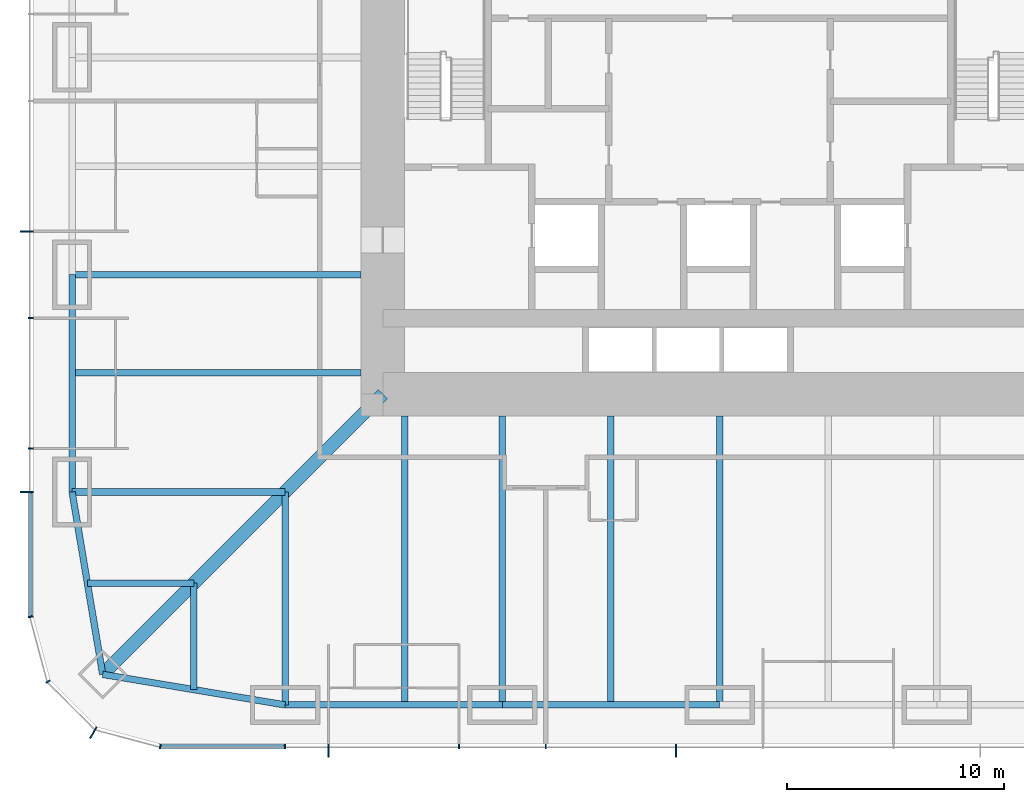
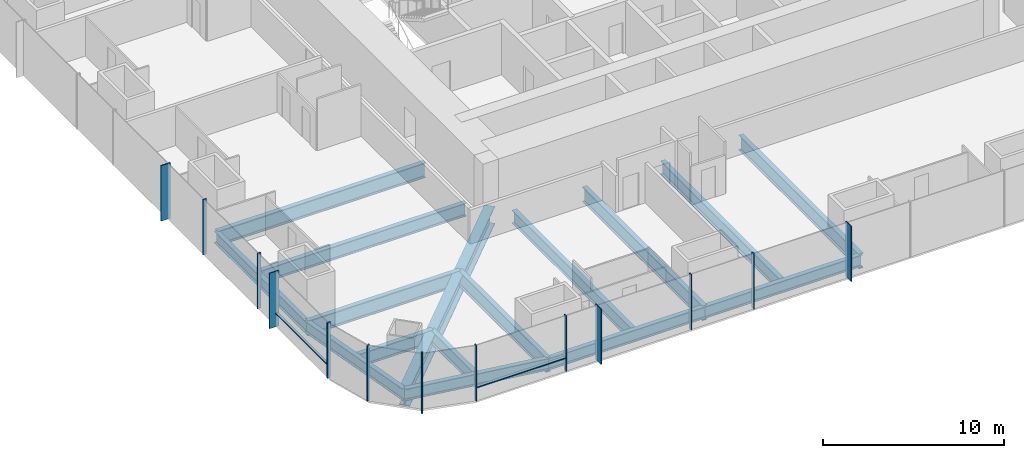
# One storey, part 2 of 17: 16 beams, 15 members, 3 elements without a shape of their own.
"""IFC4 building model written with IfcOpenShell, lengths in metres."""

from ifc_helpers import new_model, si_unit, direction, frame, origin, origin_2d, place, context, subcontext, project, spatial, rectangle, i_section, extrude, material, material_profile, profile_set, type_object, element, aggregate, save


model = new_model("IFC4")

# Units and contexts
model_context = context("Model", 3, precision=1e-05, world=origin(), true_north=direction((0.0, 1.0)))
body_context = subcontext(model_context, "Body", "Model", "MODEL_VIEW")
ifc_project = project(units=[si_unit("LENGTHUNIT", "METRE"), si_unit("AREAUNIT", "SQUARE_METRE"), si_unit("VOLUMEUNIT", "CUBIC_METRE"), si_unit("PLANEANGLEUNIT", "RADIAN"), si_unit("MASSUNIT", "GRAM", prefix="KILO")], contexts=[model_context])

# Site, building, storey
site_placement = place(None, origin())
site = spatial("IfcSite", under=ifc_project, at=site_placement, CompositionType="ELEMENT")
building_placement = place(site_placement, origin())
building = spatial("IfcBuilding", under=site, at=building_placement, Name="Khuree Lantern Residences", CompositionType="ELEMENT")
storey_placement = place(building_placement, frame((0.0, 0.0, 43.5)))
storey = spatial("IfcBuildingStorey", under=building, at=storey_placement, Name="L10", CompositionType="ELEMENT", Elevation=43.5)

# Beams
ifc_material_1 = material(Name="Steel S355", Category="steel")
ifc_material_profile_1 = material_profile(ifc_material_1, i_section(OverallWidth=0.300048828125, OverallDepth=0.889892578125, WebThickness=0.01611328125, FlangeThickness=0.030029296875, FilletRadius=0.030029296875, at=origin_2d()), Name="HE 900 A")
ifc_profile_set_1 = profile_set([ifc_material_profile_1], Name="Steel S355")
beam_type_1 = type_object("IfcBeamType", Name="B-12 SECONDARY BEAM HE 900 A", PredefinedType="BEAM", material=ifc_profile_set_1)
for number, where, z_axis, x_axis, name in (
    (1, (-5.0, -29.800048828125, -0.695068359375), (0.0, 1.0, 0.0), (-1.0, 0.0, 0.0), "Secondary beam S4"),
    (2, (-14.5, -29.800048828125, -0.695068359375), (0.0, 1.0, 0.0), (-1.0, 0.0, 0.0), "Secondary beam S5"),
):
    element("IfcBeam", number, at=place(storey_placement, frame(where, z_axis=z_axis, x_axis=x_axis)), inside=storey, type_object=beam_type_1, Name=name, PredefinedType="BEAM", context=body_context, shape_type="SweptSolid", body=[
        extrude(i_section(OverallWidth=0.300048828125, OverallDepth=0.889892578125, WebThickness=0.01611328125, FlangeThickness=0.030029296875, FilletRadius=0.030029296875, at=origin_2d()), origin(), (0.0, 0.0, 1.0), 13.300048828125),
    ])
for number, where, z_axis, x_axis, name in (
    (3, (-24.197021484375, -29.09716796875, -0.695068359375), (0.0, 1.0, 0.0), (-1.0, 0.0, 0.0), "Secondary beam S6"),
    (4, (-29.09716796875, -24.197021484375, -0.695068359375), (1.0, 0.0, 0.0), (0.0, 1.0, 0.0), "Secondary beam W1"),
):
    element("IfcBeam", number, at=place(storey_placement, frame(where, z_axis=z_axis, x_axis=x_axis)), inside=storey, type_object=beam_type_1, Name=name, PredefinedType="BEAM", context=body_context, shape_type="SweptSolid", body=[
        extrude(i_section(OverallWidth=0.300048828125, OverallDepth=0.889892578125, WebThickness=0.01611328125, FlangeThickness=0.030029296875, FilletRadius=0.030029296875, at=origin_2d()), origin(), (0.0, 0.0, 1.0), 4.900146484375),
    ])
beam_1_placement = place(storey_placement, frame((-29.800048828125, -14.5, -0.695068359375), z_axis=(1.0, 0.0, 0.0), x_axis=(0.0, 1.0, 0.0)))
element("IfcBeam", 5, at=beam_1_placement, inside=storey, type_object=beam_type_1, Name="Secondary beam W2", PredefinedType="BEAM", context=body_context, shape_type="SweptSolid", body=[
    extrude(i_section(OverallWidth=0.300048828125, OverallDepth=0.889892578125, WebThickness=0.01611328125, FlangeThickness=0.030029296875, FilletRadius=0.030029296875, at=origin_2d()), origin(), (0.0, 0.0, 1.0), 13.300048828125),
])
ifc_material_profile_2 = material_profile(ifc_material_1, i_section(OverallWidth=0.300048828125, OverallDepth=0.7900390625, WebThickness=0.014892578125, FlangeThickness=0.028076171875, FilletRadius=0.030029296875, at=origin_2d()), Name="HE 800 A")
ifc_profile_set_2 = profile_set([ifc_material_profile_2], Name="Steel S355")
beam_type_2 = type_object("IfcBeamType", Name="E-12 SPANDREL BEAM HE 800 A", PredefinedType="SPANDREL", material=ifc_profile_set_2)
for number, where, z_axis, x_axis, name in (
    (6, (0.0, -29.800048828125, -0.64501953125), (-1.0, 0.0, 0.0), (0.0, -1.0, 0.0), "Spandrel beam S4"),
    (7, (-10.0, -29.800048828125, -0.64501953125), (-1.0, 0.0, 0.0), (0.0, -1.0, 0.0), "Spandrel beam S5"),
):
    element("IfcBeam", number, at=place(storey_placement, frame(where, z_axis=z_axis, x_axis=x_axis)), inside=storey, type_object=beam_type_2, Name=name, PredefinedType="SPANDREL", context=body_context, shape_type="SweptSolid", body=[
        extrude(i_section(OverallWidth=0.300048828125, OverallDepth=0.7900390625, WebThickness=0.014892578125, FlangeThickness=0.028076171875, FilletRadius=0.030029296875, at=origin_2d()), origin(), (0.0, 0.0, 1.0), 10.0),
    ])
for number, where, z_axis, x_axis, name in (
    (8, (-20.0, -29.800048828125, -0.64501953125), (-0.986260251158, 0.165199022349, 0.0), (-0.165199022349, -0.986260251158, 0.0), "Spandrel beam S6"),
    (9, (-28.39404296875, -28.39404296875, -0.64501953125), (-0.165199022349, 0.986260251158, 0.0), (-0.986260251158, -0.165199022349, 0.0), "Spandrel beam W1"),
):
    element("IfcBeam", number, at=place(storey_placement, frame(where, z_axis=z_axis, x_axis=x_axis)), inside=storey, type_object=beam_type_2, Name=name, PredefinedType="SPANDREL", context=body_context, shape_type="SweptSolid", body=[
        extrude(i_section(OverallWidth=0.300048828125, OverallDepth=0.7900390625, WebThickness=0.014892578125, FlangeThickness=0.028076171875, FilletRadius=0.030029296875, at=origin_2d()), origin(), (0.0, 0.0, 1.0), 8.510986328125),
    ])
beam_2_placement = place(storey_placement, frame((-29.800048828125, -20.0, -0.64501953125), z_axis=(0.0, 1.0, 0.0), x_axis=(-1.0, 0.0, 0.0)))
element("IfcBeam", 10, at=beam_2_placement, inside=storey, type_object=beam_type_2, Name="Spandrel beam W2", PredefinedType="SPANDREL", context=body_context, shape_type="SweptSolid", body=[
    extrude(i_section(OverallWidth=0.300048828125, OverallDepth=0.7900390625, WebThickness=0.014892578125, FlangeThickness=0.028076171875, FilletRadius=0.030029296875, at=origin_2d()), origin(), (0.0, 0.0, 1.0), 10.0),
])

# Curtain wall, members
ifc_material_2 = material(Name="Bronze anodised aluminium", Category="aluminium")
curtain_wall_type_1 = type_object("IfcCurtainWallType", Name="CW-T1 TOWER FACE CURTAIN WALL", PredefinedType="USERDEFINED", material=ifc_material_2)
curtain_wall_1_placement = place(storey_placement, origin())
curtain_wall_1 = element("IfcCurtainWall", 11, at=curtain_wall_1_placement, inside=storey, type_object=curtain_wall_type_1, Name="L10 WEST FACE CURTAIN WALL", ObjectType="Stick-built curtain wall", PredefinedType="USERDEFINED")
ifc_material_profile_3 = material_profile(ifc_material_2, rectangle(XDim=0.06494140625, YDim=0.60009765625, at=origin_2d()), Name="F1 65X600")
ifc_profile_set_3 = profile_set([ifc_material_profile_3], Name="Bronze anodised aluminium")
member_type_1 = type_object("IfcMemberType", Name="F1 BRONZE FIN MULLION TOWER 65X600", PredefinedType="MULLION", material=ifc_profile_set_3)
member_1_placement = place(storey_placement, frame((-31.89990234375, -8.0, 0.0), z_axis=(0.0, 0.0, 1.0), x_axis=(0.0, -1.0, 0.0)))
member_1 = element("IfcMember", 12, at=member_1_placement, type_object=member_type_1, Name="L10 WEST FACE FIN MULLION 39", PredefinedType="MULLION", context=body_context, shape_type="SweptSolid", body=[
    extrude(rectangle(XDim=0.06494140625, YDim=0.60009765625, at=origin_2d()), origin(), (0.0, 0.0, 1.0), 3.75),
])
member_2_placement = place(storey_placement, frame((-31.89990234375, -20.0, 0.0), z_axis=(0.0, 0.0, 1.0), x_axis=(0.0, -1.0, 0.0)))
member_2 = element("IfcMember", 13, at=member_2_placement, type_object=member_type_1, Name="L10 WEST FACE FIN MULLION 42", PredefinedType="MULLION", context=body_context, shape_type="SweptSolid", body=[
    extrude(rectangle(XDim=0.06494140625, YDim=0.60009765625, at=origin_2d()), origin(), (0.0, 0.0, 1.0), 3.75),
])

# Curtain wall, member
curtain_wall_type_2 = type_object("IfcCurtainWallType", Name="CW-T2 TOWER CORNER CURTAIN WALL", PredefinedType="USERDEFINED", material=ifc_material_2)
curtain_wall_2_placement = place(storey_placement, origin())
curtain_wall_2 = element("IfcCurtainWall", 14, at=curtain_wall_2_placement, inside=storey, type_object=curtain_wall_type_2, Name="L10 SOUTH-WEST CORNER CURTAIN WALL", ObjectType="Faceted corner curtain wall", PredefinedType="USERDEFINED")
member_3_placement = place(storey_placement, frame((-28.824951171875, -31.076171875, 0.0), z_axis=(0.0, 0.0, 1.0), x_axis=(0.86602537092, -0.500000056923, 0.0)))
member_3 = element("IfcMember", 15, at=member_3_placement, type_object=member_type_1, Name="L10 SOUTH-WEST CORNER FIN MULLION 45", PredefinedType="MULLION", context=body_context, shape_type="SweptSolid", body=[
    extrude(rectangle(XDim=0.06494140625, YDim=0.60009765625, at=origin_2d()), origin(), (0.0, 0.0, 1.0), 3.75),
])

# Curtain wall, members
curtain_wall_3_placement = place(storey_placement, origin())
curtain_wall_3 = element("IfcCurtainWall", 16, at=curtain_wall_3_placement, inside=storey, type_object=curtain_wall_type_1, Name="L10 SOUTH FACE CURTAIN WALL", ObjectType="Stick-built curtain wall", PredefinedType="USERDEFINED")
member_4_placement = place(storey_placement, frame((-18.0, -31.89990234375, 0.0), z_axis=(0.0, 0.0, 1.0), x_axis=(1.0, 0.0, 0.0)))
member_4 = element("IfcMember", 17, at=member_4_placement, type_object=member_type_1, Name="L10 SOUTH FACE FIN MULLION 48", PredefinedType="MULLION", context=body_context, shape_type="SweptSolid", body=[
    extrude(rectangle(XDim=0.06494140625, YDim=0.60009765625, at=origin_2d()), origin(), (0.0, 0.0, 1.0), 3.75),
])
member_5_placement = place(storey_placement, frame((-2.0, -31.89990234375, 0.0), z_axis=(0.0, 0.0, 1.0), x_axis=(1.0, 0.0, 0.0)))
member_5 = element("IfcMember", 18, at=member_5_placement, type_object=member_type_1, Name="L10 SOUTH FACE FIN MULLION 51", PredefinedType="MULLION", context=body_context, shape_type="SweptSolid", body=[
    extrude(rectangle(XDim=0.06494140625, YDim=0.60009765625, at=origin_2d()), origin(), (0.0, 0.0, 1.0), 3.75),
])

# Beams
ifc_material_profile_4 = material_profile(ifc_material_1, i_section(OverallWidth=0.302001953125, OverallDepth=1.008056640625, WebThickness=0.02099609375, FlangeThickness=0.0400390625, FilletRadius=0.030029296875, at=origin_2d()), Name="HE 1000 M")
ifc_profile_set_4 = profile_set([ifc_material_profile_4], Name="Steel S355")
beam_type_3 = type_object("IfcBeamType", Name="G-12 GIRDER HE 1000 M", PredefinedType="BEAM", material=ifc_profile_set_4)
for number, where, z_axis, x_axis, name in (
    (19, (0.0, -29.800048828125, -0.75390625), (0.0, 1.0, 0.0), (-1.0, 0.0, 0.0), "Girder S3"),
    (20, (-10.0, -29.800048828125, -0.75390625), (0.0, 1.0, 0.0), (-1.0, 0.0, 0.0), "Girder S4"),
):
    element("IfcBeam", number, at=place(storey_placement, frame(where, z_axis=z_axis, x_axis=x_axis)), inside=storey, type_object=beam_type_3, Name=name, PredefinedType="BEAM", context=body_context, shape_type="SweptSolid", body=[
        extrude(i_section(OverallWidth=0.302001953125, OverallDepth=1.008056640625, WebThickness=0.02099609375, FlangeThickness=0.0400390625, FilletRadius=0.030029296875, at=origin_2d()), origin(), (0.0, 0.0, 1.0), 13.300048828125),
    ])
for number, where, z_axis, x_axis, name in (
    (21, (-20.0, -29.800048828125, -0.75390625), (0.0, 1.0, 0.0), (-1.0, 0.0, 0.0), "Girder S5"),
    (22, (-29.800048828125, -20.0, -0.75390625), (1.0, 0.0, 0.0), (0.0, 1.0, 0.0), "Girder W1"),
):
    element("IfcBeam", number, at=place(storey_placement, frame(where, z_axis=z_axis, x_axis=x_axis)), inside=storey, type_object=beam_type_3, Name=name, PredefinedType="BEAM", context=body_context, shape_type="SweptSolid", body=[
        extrude(i_section(OverallWidth=0.302001953125, OverallDepth=1.008056640625, WebThickness=0.02099609375, FlangeThickness=0.0400390625, FilletRadius=0.030029296875, at=origin_2d()), origin(), (0.0, 0.0, 1.0), 9.800048828125),
    ])
beam_3_placement = place(storey_placement, frame((-29.800048828125, -10.0, -0.75390625), z_axis=(1.0, 0.0, 0.0), x_axis=(0.0, 1.0, 0.0)))
element("IfcBeam", 23, at=beam_3_placement, inside=storey, type_object=beam_type_3, Name="Girder W2", PredefinedType="BEAM", context=body_context, shape_type="SweptSolid", body=[
    extrude(i_section(OverallWidth=0.302001953125, OverallDepth=1.008056640625, WebThickness=0.02099609375, FlangeThickness=0.0400390625, FilletRadius=0.030029296875, at=origin_2d()), origin(), (0.0, 0.0, 1.0), 13.300048828125),
])
ifc_material_profile_5 = material_profile(ifc_material_1, i_section(OverallWidth=0.60009765625, OverallDepth=1.199951171875, WebThickness=0.030029296875, FlangeThickness=0.06005859375, at=origin_2d()), Name="WELDED I 1200X600X30X60")
ifc_profile_set_5 = profile_set([ifc_material_profile_5], Name="Steel S355")
beam_type_4 = type_object("IfcBeamType", Name="GD-12 CORNER GIRDER WELDED I 1200X600X30X60", PredefinedType="BEAM", material=ifc_profile_set_5)
beam_4_placement = place(storey_placement, frame((-28.39404296875, -28.39404296875, -0.85009765625), z_axis=(0.707106781187, 0.707106781187, 0.0), x_axis=(-0.707106781187, 0.707106781187, 0.0)))
element("IfcBeam", 24, at=beam_4_placement, inside=storey, type_object=beam_type_4, Name="Corner girder SW", PredefinedType="BEAM", context=body_context, shape_type="SweptSolid", body=[
    extrude(i_section(OverallWidth=0.60009765625, OverallDepth=1.199951171875, WebThickness=0.030029296875, FlangeThickness=0.06005859375, at=origin_2d()), origin(), (0.0, 0.0, 1.0), 18.23486328125),
])

# Member
ifc_material_profile_6 = material_profile(ifc_material_2, rectangle(XDim=0.06494140625, YDim=0.219970703125, at=origin_2d()), Name="M1 65X220")
ifc_profile_set_6 = profile_set([ifc_material_profile_6], Name="Bronze anodised aluminium")
member_type_2 = type_object("IfcMemberType", Name="M1 BRONZE MULLION TOWER 65X220", PredefinedType="MULLION", material=ifc_profile_set_6)
member_6_placement = place(storey_placement, frame((-31.7099609375, -12.0, 0.0), z_axis=(0.0, 0.0, 1.0), x_axis=(0.0, -1.0, 0.0)))
member_6 = element("IfcMember", 25, at=member_6_placement, type_object=member_type_2, Name="L10 WEST FACE MULLION 40", PredefinedType="MULLION", context=body_context, shape_type="SweptSolid", body=[
    extrude(rectangle(XDim=0.06494140625, YDim=0.219970703125, at=origin_2d()), origin(), (0.0, 0.0, 1.0), 3.75),
])

member_7_placement = place(storey_placement, frame((-31.7099609375, -18.0, 0.0), z_axis=(0.0, 0.0, 1.0), x_axis=(0.0, -1.0, 0.0)))
member_7 = element("IfcMember", 26, at=member_7_placement, type_object=member_type_2, Name="L10 WEST FACE MULLION 41", PredefinedType="MULLION", context=body_context, shape_type="SweptSolid", body=[
    extrude(rectangle(XDim=0.06494140625, YDim=0.219970703125, at=origin_2d()), origin(), (0.0, 0.0, 1.0), 3.75),
])

member_8_placement = place(storey_placement, frame((-31.711669921875, -25.744873046875, 0.0), z_axis=(0.0, 0.0, 1.0), x_axis=(0.130526257387, -0.991444852794, 0.0)))
member_8 = element("IfcMember", 27, at=member_8_placement, type_object=member_type_2, Name="L10 SOUTH-WEST CORNER MULLION 43", PredefinedType="MULLION", context=body_context, shape_type="SweptSolid", body=[
    extrude(rectangle(XDim=0.06494140625, YDim=0.219970703125, at=origin_2d()), origin(), (0.0, 0.0, 1.0), 3.75),
])

member_9_placement = place(storey_placement, frame((-30.91162109375, -28.72998046875, 0.0), z_axis=(0.0, 0.0, 1.0), x_axis=(0.500000056923, -0.86602537092, 0.0)))
member_9 = element("IfcMember", 28, at=member_9_placement, type_object=member_type_2, Name="L10 SOUTH-WEST CORNER MULLION 44", PredefinedType="MULLION", context=body_context, shape_type="SweptSolid", body=[
    extrude(rectangle(XDim=0.06494140625, YDim=0.219970703125, at=origin_2d()), origin(), (0.0, 0.0, 1.0), 3.75),
])

aggregate(curtain_wall_2, [member_8, member_9, member_3])

member_10_placement = place(storey_placement, frame((-25.744873046875, -31.711669921875, 0.0), z_axis=(0.0, 0.0, 1.0), x_axis=(0.991444852794, -0.130526257387, 0.0)))
member_10 = element("IfcMember", 29, at=member_10_placement, type_object=member_type_2, Name="L10 SOUTH FACE MULLION 46", PredefinedType="MULLION", context=body_context, shape_type="SweptSolid", body=[
    extrude(rectangle(XDim=0.06494140625, YDim=0.219970703125, at=origin_2d()), origin(), (0.0, 0.0, 1.0), 3.75),
])

member_11_placement = place(storey_placement, frame((-20.0, -31.7099609375, 0.0), z_axis=(0.0, 0.0, 1.0), x_axis=(1.0, 0.0, 0.0)))
member_11 = element("IfcMember", 30, at=member_11_placement, type_object=member_type_2, Name="L10 SOUTH FACE MULLION 47", PredefinedType="MULLION", context=body_context, shape_type="SweptSolid", body=[
    extrude(rectangle(XDim=0.06494140625, YDim=0.219970703125, at=origin_2d()), origin(), (0.0, 0.0, 1.0), 3.75),
])

member_12_placement = place(storey_placement, frame((-12.0, -31.7099609375, 0.0), z_axis=(0.0, 0.0, 1.0), x_axis=(1.0, 0.0, 0.0)))
member_12 = element("IfcMember", 31, at=member_12_placement, type_object=member_type_2, Name="L10 SOUTH FACE MULLION 49", PredefinedType="MULLION", context=body_context, shape_type="SweptSolid", body=[
    extrude(rectangle(XDim=0.06494140625, YDim=0.219970703125, at=origin_2d()), origin(), (0.0, 0.0, 1.0), 3.75),
])

member_13_placement = place(storey_placement, frame((-8.0, -31.7099609375, 0.0), z_axis=(0.0, 0.0, 1.0), x_axis=(1.0, 0.0, 0.0)))
member_13 = element("IfcMember", 32, at=member_13_placement, type_object=member_type_2, Name="L10 SOUTH FACE MULLION 50", PredefinedType="MULLION", context=body_context, shape_type="SweptSolid", body=[
    extrude(rectangle(XDim=0.06494140625, YDim=0.219970703125, at=origin_2d()), origin(), (0.0, 0.0, 1.0), 3.75),
])

ifc_material_profile_7 = material_profile(ifc_material_2, rectangle(XDim=0.179931640625, YDim=0.06494140625, at=origin_2d()), Name="T1 180X65")
ifc_profile_set_7 = profile_set([ifc_material_profile_7], Name="Bronze anodised aluminium")
member_type_3 = type_object("IfcMemberType", Name="TRANSOM T1 TOWER 180X65", PredefinedType="USERDEFINED", material=ifc_profile_set_7)
member_14_placement = place(storey_placement, frame((-31.719970703125, -20.032470703125, 0.89990234375), z_axis=(0.0, -1.0, 0.0), x_axis=(1.0, 0.0, 0.0)))
member_14 = element("IfcMember", 33, at=member_14_placement, type_object=member_type_3, Name="L10 WEST FACE TRANSOM 42.1", ObjectType="Transom", PredefinedType="USERDEFINED", context=body_context, shape_type="SweptSolid", body=[
    extrude(rectangle(XDim=0.179931640625, YDim=0.06494140625, at=origin_2d()), origin(), (0.0, 0.0, 1.0), 5.6689453125),
])

aggregate(curtain_wall_1, [member_1, member_6, member_7, member_2, member_14])

member_15_placement = place(storey_placement, frame((-25.701416015625, -31.719970703125, 0.89990234375), z_axis=(1.0, 0.0, 0.0), x_axis=(0.0, 1.0, 0.0)))
member_15 = element("IfcMember", 34, at=member_15_placement, type_object=member_type_3, Name="L10 SOUTH FACE TRANSOM 46.1", ObjectType="Transom", PredefinedType="USERDEFINED", context=body_context, shape_type="SweptSolid", body=[
    extrude(rectangle(XDim=0.179931640625, YDim=0.06494140625, at=origin_2d()), origin(), (0.0, 0.0, 1.0), 5.6689453125),
])

aggregate(curtain_wall_3, [member_10, member_11, member_4, member_12, member_13, member_5, member_15])

save(model, "model.ifc")
